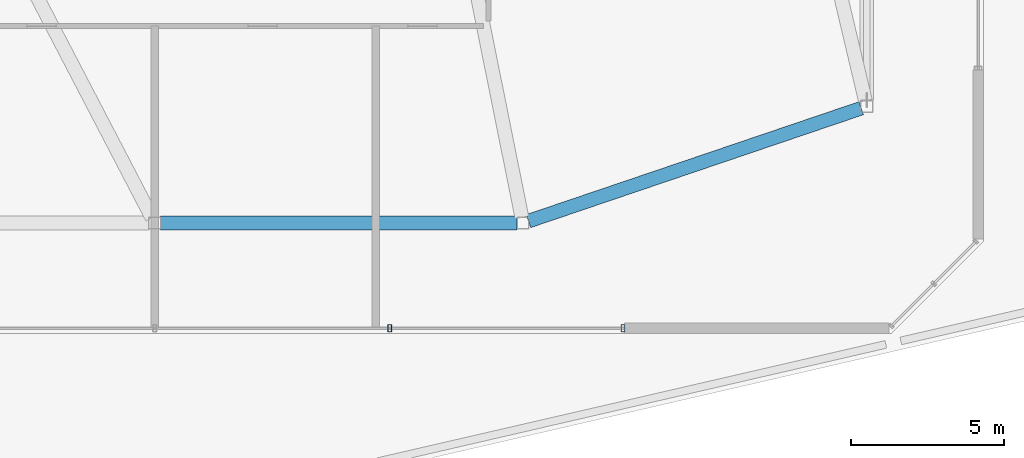
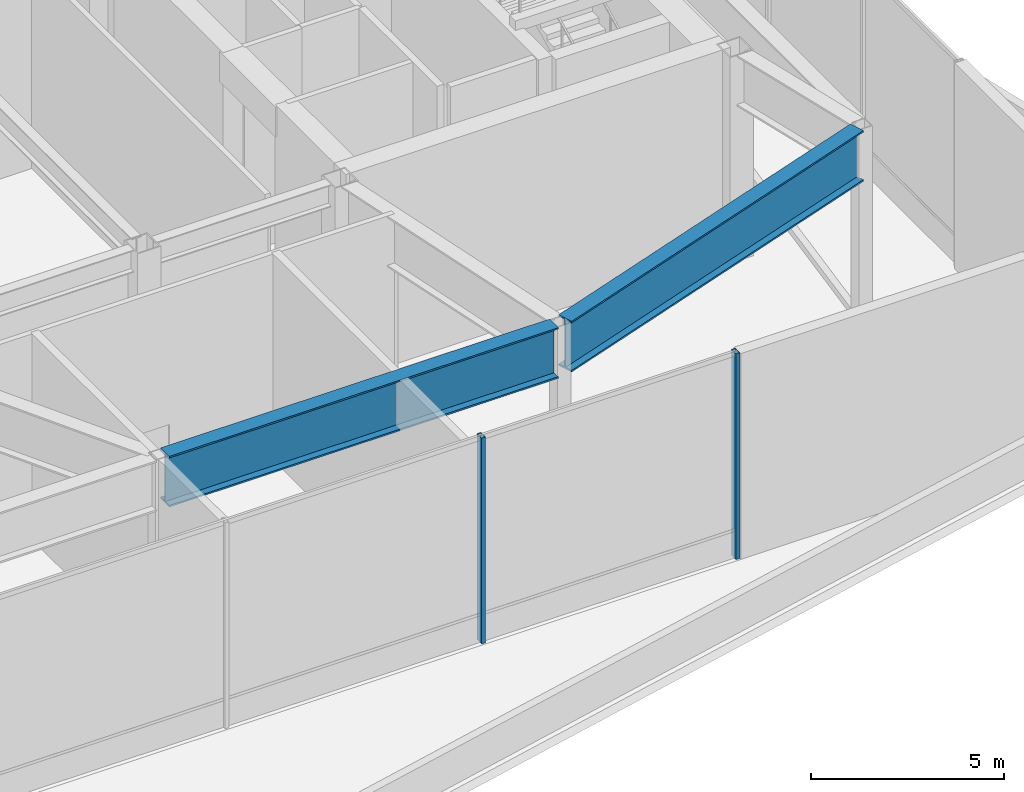
# One storey, part 8 of 25: 2 beams, 2 members, 1 element without a shape of its own.
"""IFC4 building model written with IfcOpenShell, lengths in metres."""

import ifcopenshell
import ifcopenshell.guid

model = None  # the IFC model being written
_history = None  # IfcOwnerHistory: only IFC2X3 demands one
_inside = {}  # id of a spatial element -> (the spatial element, [elements in it])
_under = {}  # id of a project, library or spatial element -> (it, [spatial elements below it])
_declared = {}  # id of a project -> (the project, [libraries it declares])
_typed = {}  # id of a type object -> (the type object, [elements of that type])
_made_of = {}  # id of a material, layer set ... -> (it, [elements and type objects made of it])


def new_model(schema):
    """Start an empty IFC model of exactly this schema.

    Asked for "IFC4X3", IfcOpenShell would pick the latest addendum, in which some entities
    have other attributes; the version numbers below select the first issue.
    IFC2X3 requires an IfcOwnerHistory on every rooted entity: one is made here for all.
    """
    global model, _history
    if schema == "IFC4X3":
        model = ifcopenshell.file(schema_version=(4, 3, 0, 0))
    else:
        model = ifcopenshell.file(schema=schema)
    _inside.clear()
    _under.clear()
    _declared.clear()
    _typed.clear()
    _made_of.clear()
    _history = None
    if model.schema == "IFC2X3":
        org = make("IfcOrganization", Name="unknown")
        user = make(
            "IfcPersonAndOrganization",
            ThePerson=make("IfcPerson", FamilyName="unknown"),
            TheOrganization=org,
        )
        app = make(
            "IfcApplication",
            ApplicationDeveloper=org,
            Version="unknown",
            ApplicationFullName="unknown",
            ApplicationIdentifier="unknown",
        )
        _history = make(
            "IfcOwnerHistory",
            OwningUser=user,
            OwningApplication=app,
            ChangeAction="ADDED",
            CreationDate=0,
        )
    return model


def make(cls, **values):
    """One entity of the class cls with the attributes given. An attribute that is None is left unset."""
    return model.create_entity(
        cls, **{name: value for name, value in values.items() if value is not None}
    )


def rooted(cls, **values):
    """An entity with a GlobalId (a new one), such as an element, a storey or a relation."""
    return make(cls, GlobalId=ifcopenshell.guid.new(), OwnerHistory=_history, **values)


def si_unit(unit_type, name, prefix=None):
    """IfcSIUnit, for example si_unit("LENGTHUNIT", "METRE", prefix="MILLI")."""
    return make("IfcSIUnit", UnitType=unit_type, Prefix=prefix, Name=name)


def assignment(units):
    """IfcUnitAssignment: the units of a project."""
    return None if units is None else make("IfcUnitAssignment", Units=units)


def point(xyz):
    """IfcCartesianPoint."""
    return None if xyz is None else make("IfcCartesianPoint", Coordinates=xyz)


def direction(xyz):
    """IfcDirection."""
    return None if xyz is None else make("IfcDirection", DirectionRatios=xyz)


def frame(location, z_axis=None, x_axis=None):
    """IfcAxis2Placement3D, a coordinate frame: its origin and axes. An axis left out is left unset."""
    return make(
        "IfcAxis2Placement3D",
        Location=point(location),
        Axis=direction(z_axis),
        RefDirection=direction(x_axis),
    )


def frame_2d(location, x_axis=None):
    """IfcAxis2Placement2D, a coordinate frame in the plane: its origin and x axis."""
    return make(
        "IfcAxis2Placement2D", Location=point(location), RefDirection=direction(x_axis)
    )


def origin():
    """The frame at (0, 0, 0) with its axes left unset."""
    return frame((0.0, 0.0, 0.0))


def origin_2d():
    """The frame at (0, 0) in the plane with its x axis left unset."""
    return frame_2d((0.0, 0.0))


def place(relative_to, where):
    """IfcLocalPlacement: puts the frame where relative to a parent placement (None: the world)."""
    return make(
        "IfcLocalPlacement", PlacementRelTo=relative_to, RelativePlacement=where
    )


def context(
    kind, dimensions, precision=None, world=None, true_north=None, identifier=None
):
    """IfcGeometricRepresentationContext, for example the 3D "Model" context."""
    return make(
        "IfcGeometricRepresentationContext",
        ContextIdentifier=identifier,
        ContextType=kind,
        CoordinateSpaceDimension=dimensions,
        Precision=precision,
        WorldCoordinateSystem=world,
        TrueNorth=true_north,
    )


def subcontext(parent, identifier, kind, view, scale=None):
    """IfcGeometricRepresentationSubContext, for example "Body" below "Model"."""
    return make(
        "IfcGeometricRepresentationSubContext",
        ContextIdentifier=identifier,
        ContextType=kind,
        ParentContext=parent,
        TargetScale=scale,
        TargetView=view,
    )


def project(units=None, contexts=None):
    """IfcProject with its units and contexts."""
    return rooted(
        "IfcProject",
        Name="project",
        RepresentationContexts=contexts,
        UnitsInContext=assignment(units),
    )


def spatial(cls, under=None, at=None, **own):
    """A site, building, storey or space (cls), placed at a placement, below another one or the project."""
    s = rooted(cls, ObjectPlacement=at, **own)
    if under is not None:
        _under.setdefault(under.id(), (under, []))[1].append(s)
    return s


def profile(cls, at=None, kind="AREA", **sizes):
    """A parametric profile (cls). Its sizes go by their IFC names, for example OverallWidth=200.0."""
    return make(cls, ProfileType=kind, Position=at, **sizes)


def hollow_rectangle(**sizes):
    """IfcRectangleHollowProfileDef."""
    return profile("IfcRectangleHollowProfileDef", **sizes)


def i_section(**sizes):
    """IfcIShapeProfileDef."""
    return profile("IfcIShapeProfileDef", **sizes)


def extrude(swept, where, along, depth):
    """IfcExtrudedAreaSolid: the profile swept, set in the frame where, extruded along a direction by depth."""
    return make(
        "IfcExtrudedAreaSolid",
        SweptArea=swept,
        Position=where,
        ExtrudedDirection=direction(along),
        Depth=depth,
    )


def shape(context_of_items, identifier, shape_type, items):
    """IfcShapeRepresentation: the items that make up one representation, for example the "Body"."""
    return make(
        "IfcShapeRepresentation",
        ContextOfItems=context_of_items,
        RepresentationIdentifier=identifier,
        RepresentationType=shape_type,
        Items=items,
    )


def material(Name=None, Category=None):
    """IfcMaterial."""
    return make("IfcMaterial", Name=Name, Category=Category)


def layer(
    of_material, thickness, ventilated=None, Name=None, Category=None, Priority=None
):
    """IfcMaterialLayer: one layer of a wall or slab, of a material (None: an air gap)."""
    return make(
        "IfcMaterialLayer",
        Material=of_material,
        LayerThickness=thickness,
        IsVentilated=ventilated,
        Name=Name,
        Category=Category,
        Priority=Priority,
    )


def layer_set(layers, Name=None):
    """IfcMaterialLayerSet."""
    return make("IfcMaterialLayerSet", MaterialLayers=layers, LayerSetName=Name)


def material_profile(
    of_material, cross_section, Name=None, Category=None, Priority=None
):
    """IfcMaterialProfile: a cross section and its material."""
    return make(
        "IfcMaterialProfile",
        Name=Name,
        Material=of_material,
        Profile=cross_section,
        Priority=Priority,
        Category=Category,
    )


def profile_set(profiles, Name=None, composite=None):
    """IfcMaterialProfileSet."""
    return make(
        "IfcMaterialProfileSet",
        Name=Name,
        MaterialProfiles=profiles,
        CompositeProfile=composite,
    )


def made_of(thing, what):
    """Note that an element or type object is made of a material, layer set ...; save() writes the relation."""
    if what is not None:
        _made_of.setdefault(what.id(), (what, []))[1].append(thing)
    return thing


def type_object(cls, material=None, **own):
    """A type object (cls), such as IfcWallType, which elements share."""
    return made_of(rooted(cls, **own), material)


def element(
    cls,
    number,
    at=None,
    inside=None,
    cuts=None,
    type_object=None,
    material=None,
    context=None,
    identifier="Body",
    shape_type=None,
    held_by="IfcProductDefinitionShape",
    body=None,
    shapes=None,
    **own,
):
    """One element of the class cls, such as IfcWall. Its Tag is "e" and its number.

    at: its placement. inside: the storey or other place that contains it. cuts: it is an
    opening in that element (IfcRelVoidsElement). A single representation is given by context,
    identifier, shape_type and body (its items); several are given by shapes. held_by: the class
    of the entity that holds the representations. save() writes the other relations.
    """
    e = rooted(cls, Tag="e%d" % number, ObjectPlacement=at, **own)
    if body is not None:
        shapes = [shape(context, identifier, shape_type, body)]
    if shapes is not None:
        e.Representation = make(held_by, Representations=shapes)
    if inside is not None:
        _inside.setdefault(inside.id(), (inside, []))[1].append(e)
    if cuts is not None:
        rooted(
            "IfcRelVoidsElement", RelatingBuildingElement=cuts, RelatedOpeningElement=e
        )
    if type_object is not None:
        _typed.setdefault(type_object.id(), (type_object, []))[1].append(e)
    return made_of(e, material)


def aggregate(whole, parts):
    """IfcRelAggregates: a whole, such as a stair, and the parts it consists of."""
    return rooted("IfcRelAggregates", RelatingObject=whole, RelatedObjects=parts)


def save(model, path):
    """Write the relations noted so far, then the file.

    IfcRelAggregates (storeys below a building ...), IfcRelContainedInSpatialStructure (elements
    in a storey), IfcRelDefinesByType, IfcRelAssociatesMaterial and IfcRelDeclares: one each for
    every whole, place, type object, material and project.
    """
    for whole, parts in _under.values():
        aggregate(whole, parts)
    for where, things in _inside.values():
        rooted(
            "IfcRelContainedInSpatialStructure",
            RelatedElements=things,
            RelatingStructure=where,
        )
    for kind, things in _typed.values():
        rooted("IfcRelDefinesByType", RelatedObjects=things, RelatingType=kind)
    for what, things in _made_of.values():
        rooted("IfcRelAssociatesMaterial", RelatedObjects=things, RelatingMaterial=what)
    for by, libraries in _declared.values():
        rooted("IfcRelDeclares", RelatingContext=by, RelatedDefinitions=libraries)
    model.write(path)


model = new_model("IFC4")

# Units and contexts
model_context = context("Model", 3, precision=1e-05, world=origin(), true_north=direction((0.0, 1.0)))
body_context = subcontext(model_context, "Body", "Model", "MODEL_VIEW")
ifc_project = project(units=[si_unit("LENGTHUNIT", "METRE"), si_unit("AREAUNIT", "SQUARE_METRE"), si_unit("VOLUMEUNIT", "CUBIC_METRE"), si_unit("PLANEANGLEUNIT", "RADIAN"), si_unit("MASSUNIT", "GRAM", prefix="KILO")], contexts=[model_context])

# Site, building, storey
site_placement = place(None, origin())
site = spatial("IfcSite", under=ifc_project, at=site_placement, CompositionType="ELEMENT")
building_placement = place(site_placement, origin())
building = spatial("IfcBuilding", under=site, at=building_placement, Name="Tavrogorsk Clinical Tower", CompositionType="ELEMENT")
storey_placement = place(building_placement, frame((0.0, 0.0, 333.0)))
storey = spatial("IfcBuildingStorey", under=building, at=storey_placement, Name="L78", CompositionType="ELEMENT", Elevation=333.0)

# Curtain wall, members
ifc_material_1 = material(Name="Anodised aluminium and triple IGU glazing", Category="aluminium")
ifc_layer = layer(ifc_material_1, 0.179931640625)
ifc_layer_set = layer_set([ifc_layer], Name="Anodised aluminium and triple IGU glazing")
curtain_wall_type = type_object("IfcCurtainWallType", Name="CW6_TmdLantern", PredefinedType="NOTDEFINED", material=ifc_layer_set)
curtain_wall_placement = place(storey_placement, origin())
curtain_wall = element("IfcCurtainWall", 1, at=curtain_wall_placement, inside=storey, type_object=curtain_wall_type, Name="L78 Curtain Wall CW-L78-TMD-8", PredefinedType="NOTDEFINED")
ifc_material_2 = material(Name="Anodised aluminium alloy AW-6060", Category="aluminium")
ifc_material_profile_1 = material_profile(ifc_material_2, hollow_rectangle(XDim=0.1201171875, YDim=0.239990234375, WallThickness=0.008056640625, at=origin_2d()), Name="RHS-240x120x8")
ifc_profile_set_1 = profile_set([ifc_material_profile_1], Name="Anodised aluminium alloy AW-6060")
member_type = type_object("IfcMemberType", Name="CwMullion_240x120", PredefinedType="MULLION", material=ifc_profile_set_1)
member_1_placement = place(storey_placement, frame((15.258544921875, -18.22998046875, 0.0), z_axis=(0.0, 0.0, 1.0), x_axis=(-1.0, 0.0, 0.0)))
member_1 = element("IfcMember", 2, at=member_1_placement, type_object=member_type, Name="CW-L78-TMD-8 Mullion 1", PredefinedType="MULLION", context=body_context, shape_type="SweptSolid", body=[
    extrude(hollow_rectangle(XDim=0.1201171875, YDim=0.239990234375, WallThickness=0.008056640625, at=origin_2d()), origin(), (0.0, 0.0, 1.0), 6.5),
])
member_2_placement = place(storey_placement, frame((7.6591796875, -18.22998046875, 0.0), z_axis=(0.0, 0.0, 1.0), x_axis=(-1.0, 0.0, 0.0)))
member_2 = element("IfcMember", 3, at=member_2_placement, type_object=member_type, Name="CW-L78-TMD-8 Mullion 2", PredefinedType="MULLION", context=body_context, shape_type="SweptSolid", body=[
    extrude(hollow_rectangle(XDim=0.1201171875, YDim=0.239990234375, WallThickness=0.008056640625, at=origin_2d()), origin(), (0.0, 0.0, 1.0), 6.5),
])
aggregate(curtain_wall, [member_1, member_2])

# Beams
ifc_material_3 = material(Name="Structural steel S440", Category="steel")
ifc_material_profile_2 = material_profile(ifc_material_3, i_section(OverallWidth=0.449951171875, OverallDepth=1.60009765625, WebThickness=0.031982421875, FlangeThickness=0.050048828125, at=origin_2d()), Name="DK-1600x450x32x50")
ifc_profile_set_2 = profile_set([ifc_material_profile_2], Name="Structural steel S440")
beam_type = type_object("IfcBeamType", Name="TransferGirder_DK1600", PredefinedType="USERDEFINED", material=ifc_profile_set_2)
beam_1_placement = place(storey_placement, frame((0.18994140625, -14.800048828125, 5.699951171875), z_axis=(1.0, 0.0, 0.0), x_axis=(0.0, 1.0, 0.0)))
element("IfcBeam", 4, at=beam_1_placement, inside=storey, type_object=beam_type, Name="L78 Crown Spandrel Beam 02", ObjectType="GIRDER", PredefinedType="USERDEFINED", context=body_context, shape_type="SweptSolid", body=[
    extrude(i_section(OverallWidth=0.449951171875, OverallDepth=1.60009765625, WebThickness=0.031982421875, FlangeThickness=0.050048828125, at=origin_2d()), origin(), (0.0, 0.0, 1.0), 11.6201171875),
])
beam_2_placement = place(storey_placement, frame((12.179931640625, -14.739013671875, 5.699951171875), z_axis=(0.946976266831, 0.321303517034, 0.0), x_axis=(-0.321303517034, 0.946976266831, 0.0)))
element("IfcBeam", 5, at=beam_2_placement, inside=storey, type_object=beam_type, Name="L78 Crown Spandrel Beam 03", ObjectType="GIRDER", PredefinedType="USERDEFINED", context=body_context, shape_type="SweptSolid", body=[
    extrude(i_section(OverallWidth=0.449951171875, OverallDepth=1.60009765625, WebThickness=0.031982421875, FlangeThickness=0.050048828125, at=origin_2d()), origin(), (0.0, 0.0, 1.0), 11.447021484375),
])

save(model, "model.ifc")
